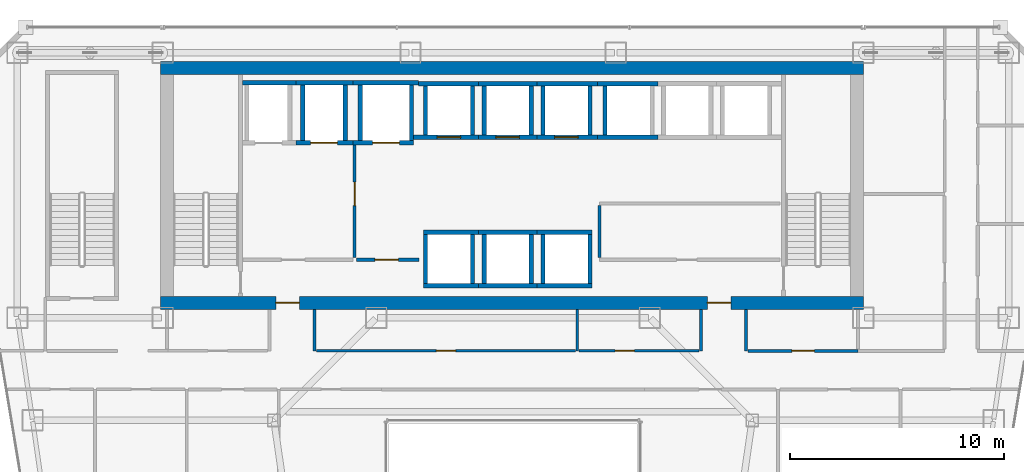
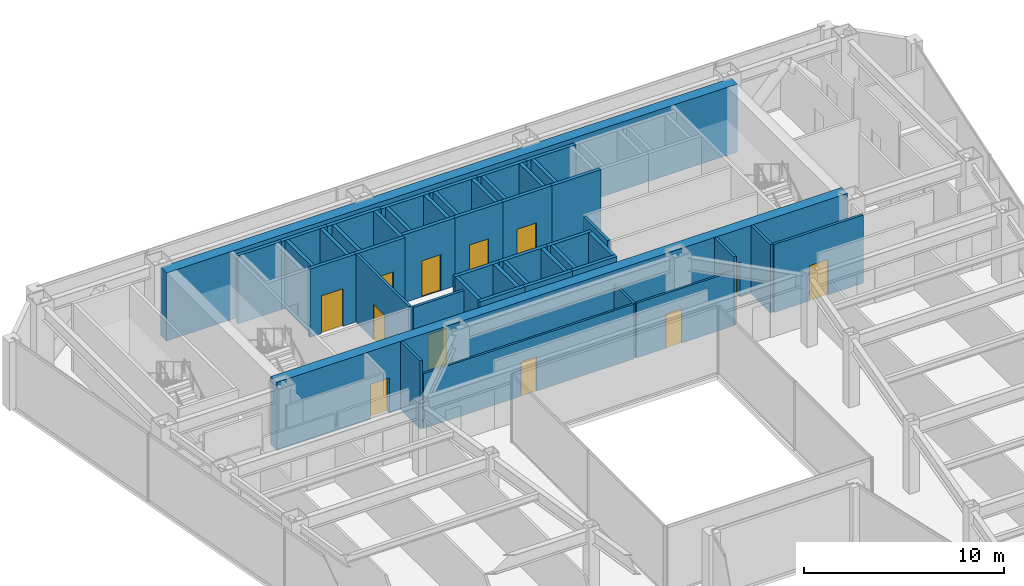
# One storey, part 33 of 37: 48 walls, 12 doors, 12 openings.
"""IFC4 building model written with IfcOpenShell, lengths in metres."""

from ifc_helpers import new_model, si_unit, direction, frame, frame_2d, origin, place, context, subcontext, project, spatial, rectangle, extrude, material, layer, layer_set, type_object, element, fill, save


model = new_model("IFC4")

# Units and contexts
model_context = context("Model", 3, precision=1e-05, world=origin(), true_north=direction((0.0, 1.0)))
body_context = subcontext(model_context, "Body", "Model", "MODEL_VIEW")
ifc_project = project(units=[si_unit("LENGTHUNIT", "METRE"), si_unit("AREAUNIT", "SQUARE_METRE"), si_unit("VOLUMEUNIT", "CUBIC_METRE"), si_unit("PLANEANGLEUNIT", "RADIAN"), si_unit("MASSUNIT", "GRAM", prefix="KILO")], contexts=[model_context])

# Site, building, storey
site_placement = place(None, origin())
site = spatial("IfcSite", under=ifc_project, at=site_placement, CompositionType="ELEMENT")
building_placement = place(site_placement, origin())
building = spatial("IfcBuilding", under=site, at=building_placement, Name="Saevonmaru Cultural Tower", CompositionType="ELEMENT")
storey_placement = place(building_placement, frame((0.0, 0.0, 114.800048828125)))
storey = spatial("IfcBuildingStorey", under=building, at=storey_placement, Name="L24", CompositionType="ELEMENT", Elevation=114.800048828125)

# Wall, openings, doors
ifc_material_1 = material(Name="Concrete C60/75", Category="concrete")
ifc_layer_1 = layer(ifc_material_1, 0.60009765625, Name="Concrete C60/75")
ifc_layer_set_1 = layer_set([ifc_layer_1], Name="Concrete C60/75")
wall_type_1 = type_object("IfcWallType", Name="WL-CORE-600", PredefinedType="SHEAR", material=ifc_layer_set_1)
wall_1_placement = place(storey_placement, frame((13.5, 43.10009765625, 0.0), z_axis=(0.0, 0.0, 1.0), x_axis=(1.0, 0.0, 0.0)))
wall_1 = element("IfcWall", 1, at=wall_1_placement, inside=storey, type_object=wall_type_1, Name="L24 Tower RC core shear wall S", PredefinedType="SHEAR", context=body_context, shape_type="SweptSolid", body=[
    extrude(rectangle(XDim=32.89990234375, YDim=0.60009765625, at=frame_2d((16.449951171875, 0.0))), origin(), (0.0, 0.0, 1.0), 4.14990234375),
])
opening_1_placement = place(wall_1_placement, frame((5.39990234375, 0.0, 0.0)))
opening_1 = element("IfcOpeningElement", 2, at=opening_1_placement, cuts=wall_1, Name="Opening FD-2", PredefinedType="OPENING", context=body_context, shape_type="SweptSolid", body=[
    extrude(rectangle(XDim=1.10009765625, YDim=2.14990234375, at=frame_2d((0.550048828125, 1.074951171875))), frame((0.0, 0.31005859375, 0.0), z_axis=(0.0, -1.0, 0.0), x_axis=(1.0, 0.0, 0.0)), (0.0, 0.0, 1.0), 0.6201171875),
])
opening_2_placement = place(wall_1_placement, frame((25.60009765625, 0.0, 0.0)))
opening_2 = element("IfcOpeningElement", 3, at=opening_2_placement, cuts=wall_1, Name="Opening FD-2", PredefinedType="OPENING", context=body_context, shape_type="SweptSolid", body=[
    extrude(rectangle(XDim=1.10009765625, YDim=2.14990234375, at=frame_2d((0.550048828125, 1.074951171875))), frame((0.0, 0.31005859375, 0.0), z_axis=(0.0, -1.0, 0.0), x_axis=(1.0, 0.0, 0.0)), (0.0, 0.0, 1.0), 0.6201171875),
])
ifc_material_2 = material(Name="Satin Bronze Anodised Aluminium", Category="aluminium")
door_type_1 = type_object("IfcDoorType", Name="DR-FD60-1100", OperationType="SINGLE_SWING_LEFT", PredefinedType="DOOR", material=ifc_material_2)
door_1_placement = place(opening_1_placement, origin())
door_1 = element("IfcDoor", 4, at=door_1_placement, inside=storey, type_object=door_type_1, Name="L24 Core West Lobby Fire Door", OperationType="SINGLE_SWING_LEFT", OverallHeight=2.14990234375, OverallWidth=1.10009765625, PredefinedType="DOOR", context=body_context, shape_type="SweptSolid", body=[
    extrude(rectangle(XDim=1.10009765625, YDim=2.14990234375, at=frame_2d((0.550048828125, 1.074951171875))), frame((0.0, 0.02490234375, 0.0), z_axis=(0.0, -1.0, 0.0), x_axis=(1.0, 0.0, 0.0)), (0.0, 0.0, 1.0), 0.050048828125),
])
fill(opening_1, door_1)
door_2_placement = place(opening_2_placement, origin())
door_2 = element("IfcDoor", 5, at=door_2_placement, inside=storey, type_object=door_type_1, Name="L24 Core East Lobby Fire Door", OperationType="SINGLE_SWING_LEFT", OverallHeight=2.14990234375, OverallWidth=1.10009765625, PredefinedType="DOOR", context=body_context, shape_type="SweptSolid", body=[
    extrude(rectangle(XDim=1.10009765625, YDim=2.14990234375, at=frame_2d((0.550048828125, 1.074951171875))), frame((0.0, 0.02490234375, 0.0), z_axis=(0.0, -1.0, 0.0), x_axis=(1.0, 0.0, 0.0)), (0.0, 0.0, 1.0), 0.050048828125),
])
fill(opening_2, door_2)

# Wall
wall_2_placement = place(storey_placement, frame((13.5, 54.10009765625, 0.0), z_axis=(0.0, 0.0, 1.0), x_axis=(1.0, 0.0, 0.0)))
element("IfcWall", 6, at=wall_2_placement, inside=storey, type_object=wall_type_1, Name="L24 Tower RC core shear wall N", PredefinedType="SHEAR", context=body_context, shape_type="SweptSolid", body=[
    extrude(rectangle(XDim=32.89990234375, YDim=0.60009765625, at=frame_2d((16.449951171875, 0.0))), origin(), (0.0, 0.0, 1.0), 4.14990234375),
])

# Wall, opening, door
ifc_material_3 = material(Name="Gypsum Fireboard Partition", Category="gypsum")
ifc_layer_2 = layer(ifc_material_3, 0.14990234375, Name="Gypsum Fireboard Partition")
ifc_layer_set_2 = layer_set([ifc_layer_2], Name="Gypsum Fireboard Partition")
wall_type_2 = type_object("IfcWallType", Name="WL-CORE-PART-150", PredefinedType="PARTITIONING", material=ifc_layer_set_2)
wall_3_placement = place(storey_placement, frame((22.580078125, 50.550048828125, 0.0), z_axis=(0.0, 0.0, 1.0), x_axis=(0.0, -1.0, 0.0)))
wall_3 = element("IfcWall", 7, at=wall_3_placement, inside=storey, type_object=wall_type_2, Name="L24 Firefighting Lift Lobby East Wall", PredefinedType="PARTITIONING", context=body_context, shape_type="SweptSolid", body=[
    extrude(rectangle(XDim=5.330078125, YDim=0.14990234375, at=frame_2d((2.6650390625, 0.0))), origin(), (0.0, 0.0, 1.0), 4.14990234375),
])
opening_3_placement = place(wall_3_placement, frame((1.800048828125, 0.0, 0.0)))
opening_3 = element("IfcOpeningElement", 8, at=opening_3_placement, cuts=wall_3, Name="Opening FD-2", PredefinedType="OPENING", context=body_context, shape_type="SweptSolid", body=[
    extrude(rectangle(XDim=1.10009765625, YDim=2.14990234375, at=frame_2d((0.550048828125, 1.074951171875))), frame((0.0, 0.0849609375, 0.0), z_axis=(0.0, -1.0, 0.0), x_axis=(1.0, 0.0, 0.0)), (0.0, 0.0, 1.0), 0.169921875),
])
door_3_placement = place(opening_3_placement, origin())
door_3 = element("IfcDoor", 9, at=door_3_placement, inside=storey, type_object=door_type_1, Name="L24 Firefighting Lift Lobby East Door", OperationType="SINGLE_SWING_LEFT", OverallHeight=2.14990234375, OverallWidth=1.10009765625, PredefinedType="DOOR", context=body_context, shape_type="SweptSolid", body=[
    extrude(rectangle(XDim=1.10009765625, YDim=2.14990234375, at=frame_2d((0.550048828125, 1.074951171875))), frame((0.0, 0.02490234375, 0.0), z_axis=(0.0, -1.0, 0.0), x_axis=(1.0, 0.0, 0.0)), (0.0, 0.0, 1.0), 0.050048828125),
])
fill(opening_3, door_3)

wall_4_placement = place(storey_placement, frame((22.679931640625, 45.1201171875, 0.0), z_axis=(0.0, 0.0, 1.0), x_axis=(1.0, 0.0, 0.0)))
wall_4 = element("IfcWall", 10, at=wall_4_placement, inside=storey, type_object=wall_type_2, Name="L24 Service Lift Vestibule Wall", PredefinedType="PARTITIONING", context=body_context, shape_type="SweptSolid", body=[
    extrude(rectangle(XDim=2.920166015625, YDim=0.14990234375, at=frame_2d((1.4599609375, 0.0))), origin(), (0.0, 0.0, 1.0), 4.14990234375),
])
opening_4_placement = place(wall_4_placement, frame((0.85009765625, 0.0, 0.0)))
opening_4 = element("IfcOpeningElement", 11, at=opening_4_placement, cuts=wall_4, Name="Opening FD-2", PredefinedType="OPENING", context=body_context, shape_type="SweptSolid", body=[
    extrude(rectangle(XDim=1.10009765625, YDim=2.14990234375, at=frame_2d((0.550048828125, 1.074951171875))), frame((0.0, 0.0849609375, 0.0), z_axis=(0.0, -1.0, 0.0), x_axis=(1.0, 0.0, 0.0)), (0.0, 0.0, 1.0), 0.169921875),
])
door_4_placement = place(opening_4_placement, origin())
door_4 = element("IfcDoor", 12, at=door_4_placement, inside=storey, type_object=door_type_1, Name="L24 Service Lift Vestibule Door", OperationType="SINGLE_SWING_LEFT", OverallHeight=2.14990234375, OverallWidth=1.10009765625, PredefinedType="DOOR", context=body_context, shape_type="SweptSolid", body=[
    extrude(rectangle(XDim=1.10009765625, YDim=2.14990234375, at=frame_2d((0.550048828125, 1.074951171875))), frame((0.0, 0.02490234375, 0.0), z_axis=(0.0, -1.0, 0.0), x_axis=(1.0, 0.0, 0.0)), (0.0, 0.0, 1.0), 0.050048828125),
])
fill(opening_4, door_4)

# Walls
wall_5_placement = place(storey_placement, frame((34.050048828125, 45.219970703125, 0.0), z_axis=(0.0, 0.0, 1.0), x_axis=(0.0, 1.0, 0.0)))
element("IfcWall", 13, at=wall_5_placement, inside=storey, type_object=wall_type_2, Name="L24 Core Service West Wall", PredefinedType="PARTITIONING", context=body_context, shape_type="SweptSolid", body=[
    extrude(rectangle(XDim=2.429931640625, YDim=0.14990234375, at=frame_2d((1.21484375, 0.0))), origin(), (0.0, 0.0, 1.0), 4.14990234375),
])
ifc_layer_3 = layer(ifc_material_3, 0.14990234375, Name="Gypsum Fireboard Partition")
ifc_layer_set_3 = layer_set([ifc_layer_3], Name="Gypsum Fireboard Partition")
wall_type_3 = type_object("IfcWallType", Name="WL-PART-FIRE-150", PredefinedType="PARTITIONING", material=ifc_layer_set_3)
for number, where, z_axis, x_axis, name in (
    (14, (20.699951171875, 40.85009765625, 0.0), (0.0, 0.0, 1.0), (0.0, 1.0, 0.0), "L24 Core Portal Side Wall W2"),
    (15, (38.800048828125, 40.85009765625, 0.0), (0.0, 0.0, 1.0), (0.0, 1.0, 0.0), "L24 Core Portal Side Wall E1"),
    (16, (40.89990234375, 40.85009765625, 0.0), (0.0, 0.0, 1.0), (0.0, 1.0, 0.0), "L24 Core Portal Side Wall E2"),
):
    element("IfcWall", number, at=place(storey_placement, frame(where, z_axis=z_axis, x_axis=x_axis)), inside=storey, type_object=wall_type_3, Name=name, PredefinedType="PARTITIONING", context=body_context, shape_type="SweptSolid", body=[
        extrude(rectangle(XDim=1.929931640625, YDim=0.14990234375, at=frame_2d((0.96484375, 0.0))), origin(), (0.0, 0.0, 1.0), 4.14990234375),
    ])

# Wall, opening, door
wall_6_placement = place(storey_placement, frame((40.9951171875, 40.85009765625, 0.0), z_axis=(0.0, 0.0, 1.0), x_axis=(1.0, 0.0, 0.0)))
wall_6 = element("IfcWall", 17, at=wall_6_placement, inside=storey, type_object=wall_type_3, Name="L24 Sculpture Study Gallery Corridor Wall", PredefinedType="PARTITIONING", context=body_context, shape_type="SweptSolid", body=[
    extrude(rectangle(XDim=5.15478515625, YDim=0.14990234375, at=frame_2d((2.577392578125, 0.0))), origin(), (0.0, 0.0, 1.0), 4.14990234375),
])
opening_5_placement = place(wall_6_placement, frame((2.052978515625, 0.0, 0.0)))
opening_5 = element("IfcOpeningElement", 18, at=opening_5_placement, cuts=wall_6, Name="Opening ID-1", PredefinedType="OPENING", context=body_context, shape_type="SweptSolid", body=[
    extrude(rectangle(XDim=1.050048828125, YDim=2.14990234375, at=frame_2d((0.52490234375, 1.074951171875))), frame((0.0, 0.0849609375, 0.0), z_axis=(0.0, -1.0, 0.0), x_axis=(1.0, 0.0, 0.0)), (0.0, 0.0, 1.0), 0.169921875),
])
door_type_2 = type_object("IfcDoorType", Name="DR-INT-1050", OperationType="SINGLE_SWING_LEFT", PredefinedType="DOOR", material=ifc_material_2)
door_5_placement = place(opening_5_placement, origin())
door_5 = element("IfcDoor", 19, at=door_5_placement, inside=storey, type_object=door_type_2, Name="L24 Sculpture Study Gallery Door", OperationType="SINGLE_SWING_RIGHT", OverallHeight=2.14990234375, OverallWidth=1.050048828125, PredefinedType="DOOR", context=body_context, shape_type="SweptSolid", body=[
    extrude(rectangle(XDim=1.050048828125, YDim=2.14990234375, at=frame_2d((0.52490234375, 1.074951171875))), frame((0.0, 0.02490234375, 0.0), z_axis=(0.0, -1.0, 0.0), x_axis=(1.0, 0.0, 0.0)), (0.0, 0.0, 1.0), 0.050048828125),
])
fill(opening_5, door_5)

# Wall
ifc_layer_4 = layer(ifc_material_3, 0.1201171875, Name="Gypsum Fireboard Partition")
ifc_layer_set_4 = layer_set([ifc_layer_4], Name="Gypsum Fireboard Partition")
wall_type_4 = type_object("IfcWallType", Name="WL-PART-GYP-120", PredefinedType="PARTITIONING", material=ifc_layer_set_4)
wall_7_placement = place(storey_placement, frame((33.0, 40.85009765625, 0.0), z_axis=(0.0, 0.0, 1.0), x_axis=(0.0, 1.0, 0.0)))
element("IfcWall", 20, at=wall_7_placement, inside=storey, type_object=wall_type_4, Name="L24 Spine Alcove Split", PredefinedType="PARTITIONING", context=body_context, shape_type="SweptSolid", body=[
    extrude(rectangle(XDim=1.929931640625, YDim=0.1201171875, at=frame_2d((0.96484375, 0.0))), origin(), (0.0, 0.0, 1.0), 3.3349609375),
])

# Wall, opening, door
wall_8_placement = place(storey_placement, frame((20.794921875, 40.85009765625, 0.0), z_axis=(0.0, 0.0, 1.0), x_axis=(1.0, 0.0, 0.0)))
wall_8 = element("IfcWall", 21, at=wall_8_placement, inside=storey, type_object=wall_type_4, Name="L24 Visiting Fellows Office Corridor Wall", PredefinedType="PARTITIONING", context=body_context, shape_type="SweptSolid", body=[
    extrude(rectangle(XDim=12.125, YDim=0.1201171875, at=frame_2d((6.0625, 0.0))), origin(), (0.0, 0.0, 1.0), 3.3349609375),
])
opening_6_placement = place(wall_8_placement, frame((5.612060546875, 0.0, 0.0)))
opening_6 = element("IfcOpeningElement", 22, at=opening_6_placement, cuts=wall_8, Name="Opening ID-2", PredefinedType="OPENING", context=body_context, shape_type="SweptSolid", body=[
    extrude(rectangle(XDim=0.89990234375, YDim=2.10009765625, at=frame_2d((0.449951171875, 1.050048828125))), frame((0.0, 0.070068359375, 0.0), z_axis=(0.0, -1.0, 0.0), x_axis=(1.0, 0.0, 0.0)), (0.0, 0.0, 1.0), 0.14013671875),
])
ifc_material_4 = material(Name="Acoustic Stained Oak Timber", Category="wood")
door_type_3 = type_object("IfcDoorType", Name="DR-INT-900", OperationType="SINGLE_SWING_RIGHT", PredefinedType="DOOR", material=ifc_material_4)
door_6_placement = place(opening_6_placement, origin())
door_6 = element("IfcDoor", 23, at=door_6_placement, inside=storey, type_object=door_type_3, Name="L24 Visiting Fellows Office Door", OperationType="SINGLE_SWING_RIGHT", OverallHeight=2.10009765625, OverallWidth=0.89990234375, PredefinedType="DOOR", context=body_context, shape_type="SweptSolid", body=[
    extrude(rectangle(XDim=0.89990234375, YDim=2.10009765625, at=frame_2d((0.449951171875, 1.050048828125))), frame((0.0, 0.02490234375, 0.0), z_axis=(0.0, -1.0, 0.0), x_axis=(1.0, 0.0, 0.0)), (0.0, 0.0, 1.0), 0.050048828125),
])
fill(opening_6, door_6)

wall_9_placement = place(storey_placement, frame((33.080078125, 40.85009765625, 0.0), z_axis=(0.0, 0.0, 1.0), x_axis=(1.0, 0.0, 0.0)))
wall_9 = element("IfcWall", 24, at=wall_9_placement, inside=storey, type_object=wall_type_4, Name="L24 Digital Media Classroom Corridor Wall", PredefinedType="PARTITIONING", context=body_context, shape_type="SweptSolid", body=[
    extrude(rectangle(XDim=5.625, YDim=0.1201171875, at=frame_2d((2.8125, 0.0))), origin(), (0.0, 0.0, 1.0), 3.3349609375),
])
opening_7_placement = place(wall_9_placement, frame((1.701904296875, 0.0, 0.0)))
opening_7 = element("IfcOpeningElement", 25, at=opening_7_placement, cuts=wall_9, Name="Opening ID-2", PredefinedType="OPENING", context=body_context, shape_type="SweptSolid", body=[
    extrude(rectangle(XDim=0.89990234375, YDim=2.10009765625, at=frame_2d((0.449951171875, 1.050048828125))), frame((0.0, 0.070068359375, 0.0), z_axis=(0.0, -1.0, 0.0), x_axis=(1.0, 0.0, 0.0)), (0.0, 0.0, 1.0), 0.14013671875),
])
door_7_placement = place(opening_7_placement, origin())
door_7 = element("IfcDoor", 26, at=door_7_placement, inside=storey, type_object=door_type_3, Name="L24 Digital Media Classroom Door", OperationType="SINGLE_SWING_LEFT", OverallHeight=2.10009765625, OverallWidth=0.89990234375, PredefinedType="DOOR", context=body_context, shape_type="SweptSolid", body=[
    extrude(rectangle(XDim=0.89990234375, YDim=2.10009765625, at=frame_2d((0.449951171875, 1.050048828125))), frame((0.0, 0.02490234375, 0.0), z_axis=(0.0, -1.0, 0.0), x_axis=(1.0, 0.0, 0.0)), (0.0, 0.0, 1.0), 0.050048828125),
])
fill(opening_7, door_7)

# Wall
ifc_material_5 = material(Name="Concrete C40/50", Category="concrete")
ifc_layer_5 = layer(ifc_material_5, 0.199951171875, Name="Concrete C40/50")
ifc_layer_set_5 = layer_set([ifc_layer_5], Name="Concrete C40/50")
wall_type_5 = type_object("IfcWallType", Name="WL-SHAFT-200", PredefinedType="SHEAR", material=ifc_layer_set_5)
wall_10_placement = place(storey_placement, frame((17.330078125, 53.39990234375, 0.0), z_axis=(0.0, 0.0, 1.0), x_axis=(1.0, 0.0, 0.0)))
element("IfcWall", 27, at=wall_10_placement, inside=storey, type_object=wall_type_5, Name="L24 Lift FFL-1 Hoistway Wall N", PredefinedType="SHEAR", context=body_context, shape_type="SweptSolid", body=[
    extrude(rectangle(XDim=2.52001953125, YDim=0.199951171875, at=frame_2d((1.260009765625, 0.0))), origin(), (0.0, 0.0, 1.0), 4.14990234375),
])

# Wall, opening, door
wall_11_placement = place(storey_placement, frame((19.85009765625, 50.60009765625, 0.0), z_axis=(0.0, 0.0, 1.0), x_axis=(1.0, 0.0, 0.0)))
wall_11 = element("IfcWall", 28, at=wall_11_placement, inside=storey, type_object=wall_type_5, Name="L24 Lift FFL-2 Hoistway Wall S", PredefinedType="SHEAR", context=body_context, shape_type="SweptSolid", body=[
    extrude(rectangle(XDim=2.64990234375, YDim=0.199951171875, at=frame_2d((1.324951171875, 0.0))), origin(), (0.0, 0.0, 1.0), 4.14990234375),
])
opening_8_placement = place(wall_11_placement, frame((0.675048828125, 0.0, 0.0)))
opening_8 = element("IfcOpeningElement", 29, at=opening_8_placement, cuts=wall_11, Name="Opening LD-2", PredefinedType="OPENING", context=body_context, shape_type="SweptSolid", body=[
    extrude(rectangle(XDim=1.25, YDim=2.300048828125, at=frame_2d((0.625, 1.14990234375))), frame((0.0, 0.10986328125, 0.0), z_axis=(0.0, -1.0, 0.0), x_axis=(1.0, 0.0, 0.0)), (0.0, 0.0, 1.0), 0.219970703125),
])
ifc_material_6 = material(Name="Stainless Steel 316", Category="steel")
door_type_4 = type_object("IfcDoorType", Name="DR-LIFT-1250", OperationType="SLIDING_TO_LEFT", PredefinedType="DOOR", material=ifc_material_6)
door_8_placement = place(opening_8_placement, origin())
door_8 = element("IfcDoor", 30, at=door_8_placement, inside=storey, type_object=door_type_4, Name="L24 Lift FFL-2 Sliding Landing Door", OperationType="SLIDING_TO_LEFT", OverallHeight=2.300048828125, OverallWidth=1.25, PredefinedType="DOOR", context=body_context, shape_type="SweptSolid", body=[
    extrude(rectangle(XDim=1.25, YDim=2.300048828125, at=frame_2d((0.625, 1.14990234375))), frame((0.0, 0.02490234375, 0.0), z_axis=(0.0, -1.0, 0.0), x_axis=(1.0, 0.0, 0.0)), (0.0, 0.0, 1.0), 0.050048828125),
])
fill(opening_8, door_8)

# Walls
wall_12_placement = place(storey_placement, frame((19.85009765625, 53.39990234375, 0.0), z_axis=(0.0, 0.0, 1.0), x_axis=(1.0, 0.0, 0.0)))
element("IfcWall", 31, at=wall_12_placement, inside=storey, type_object=wall_type_5, Name="L24 Lift FFL-2 Hoistway Wall N", PredefinedType="SHEAR", context=body_context, shape_type="SweptSolid", body=[
    extrude(rectangle(XDim=2.64990234375, YDim=0.199951171875, at=frame_2d((1.324951171875, 0.0))), origin(), (0.0, 0.0, 1.0), 4.14990234375),
])
for number, where, z_axis, x_axis, name in (
    (32, (20.14990234375, 50.699951171875, 0.0), (0.0, 0.0, 1.0), (0.0, 1.0, 0.0), "L24 Lift FFL-2 Hoistway Wall W"),
    (33, (22.14990234375, 50.699951171875, 0.0), (0.0, 0.0, 1.0), (0.0, 1.0, 0.0), "L24 Lift FFL-2 Hoistway Wall E"),
):
    element("IfcWall", number, at=place(storey_placement, frame(where, z_axis=z_axis, x_axis=x_axis)), inside=storey, type_object=wall_type_5, Name=name, PredefinedType="SHEAR", context=body_context, shape_type="SweptSolid", body=[
        extrude(rectangle(XDim=2.60009765625, YDim=0.199951171875, at=frame_2d((1.300048828125, 0.0))), origin(), (0.0, 0.0, 1.0), 4.14990234375),
    ])

# Wall, opening, door
wall_13_placement = place(storey_placement, frame((22.5, 50.60009765625, 0.0), z_axis=(0.0, 0.0, 1.0), x_axis=(1.0, 0.0, 0.0)))
wall_13 = element("IfcWall", 34, at=wall_13_placement, inside=storey, type_object=wall_type_5, Name="L24 Lift GL-1 Hoistway Wall S", PredefinedType="SHEAR", context=body_context, shape_type="SweptSolid", body=[
    extrude(rectangle(XDim=2.85009765625, YDim=0.199951171875, at=frame_2d((1.425048828125, 0.0))), origin(), (0.0, 0.0, 1.0), 4.14990234375),
])
opening_9_placement = place(wall_13_placement, frame((0.925048828125, 0.0, 0.0)))
opening_9 = element("IfcOpeningElement", 35, at=opening_9_placement, cuts=wall_13, Name="Opening LD-2", PredefinedType="OPENING", context=body_context, shape_type="SweptSolid", body=[
    extrude(rectangle(XDim=1.25, YDim=2.300048828125, at=frame_2d((0.625, 1.14990234375))), frame((0.0, 0.10986328125, 0.0), z_axis=(0.0, -1.0, 0.0), x_axis=(1.0, 0.0, 0.0)), (0.0, 0.0, 1.0), 0.219970703125),
])
door_9_placement = place(opening_9_placement, origin())
door_9 = element("IfcDoor", 36, at=door_9_placement, inside=storey, type_object=door_type_4, Name="L24 Lift GL-1 Sliding Landing Door", OperationType="SLIDING_TO_LEFT", OverallHeight=2.300048828125, OverallWidth=1.25, PredefinedType="DOOR", context=body_context, shape_type="SweptSolid", body=[
    extrude(rectangle(XDim=1.25, YDim=2.300048828125, at=frame_2d((0.625, 1.14990234375))), frame((0.0, 0.02490234375, 0.0), z_axis=(0.0, -1.0, 0.0), x_axis=(1.0, 0.0, 0.0)), (0.0, 0.0, 1.0), 0.050048828125),
])
fill(opening_9, door_9)

# Walls
wall_14_placement = place(storey_placement, frame((22.5, 53.39990234375, 0.0), z_axis=(0.0, 0.0, 1.0), x_axis=(1.0, 0.0, 0.0)))
element("IfcWall", 37, at=wall_14_placement, inside=storey, type_object=wall_type_5, Name="L24 Lift GL-1 Hoistway Wall N", PredefinedType="SHEAR", context=body_context, shape_type="SweptSolid", body=[
    extrude(rectangle(XDim=3.074951171875, YDim=0.199951171875, at=frame_2d((1.53759765625, 0.0))), origin(), (0.0, 0.0, 1.0), 4.14990234375),
])
for number, where, z_axis, x_axis, name in (
    (38, (22.85009765625, 50.699951171875, 0.0), (0.0, 0.0, 1.0), (0.0, 1.0, 0.0), "L24 Lift GL-1 Hoistway Wall W"),
    (39, (25.25, 50.699951171875, 0.0), (0.0, 0.0, 1.0), (0.0, 1.0, 0.0), "L24 Lift GL-1 Hoistway Wall E"),
):
    element("IfcWall", number, at=place(storey_placement, frame(where, z_axis=z_axis, x_axis=x_axis)), inside=storey, type_object=wall_type_5, Name=name, PredefinedType="SHEAR", context=body_context, shape_type="SweptSolid", body=[
        extrude(rectangle(XDim=2.60009765625, YDim=0.199951171875, at=frame_2d((1.300048828125, 0.0))), origin(), (0.0, 0.0, 1.0), 4.14990234375),
    ])

# Wall, opening, door
wall_15_placement = place(storey_placement, frame((25.35009765625, 50.85009765625, 0.0), z_axis=(0.0, 0.0, 1.0), x_axis=(1.0, 0.0, 0.0)))
wall_15 = element("IfcWall", 40, at=wall_15_placement, inside=storey, type_object=wall_type_5, Name="L24 Lift PL-L1 Hoistway Wall S", PredefinedType="SHEAR", context=body_context, shape_type="SweptSolid", body=[
    extrude(rectangle(XDim=3.02490234375, YDim=0.199951171875, at=frame_2d((1.512451171875, 0.0))), origin(), (0.0, 0.0, 1.0), 4.14990234375),
])
opening_10_placement = place(wall_15_placement, frame((1.10009765625, 0.0, 0.0)))
opening_10 = element("IfcOpeningElement", 41, at=opening_10_placement, cuts=wall_15, Name="Opening LD-1", PredefinedType="OPENING", context=body_context, shape_type="SweptSolid", body=[
    extrude(rectangle(XDim=1.10009765625, YDim=2.199951171875, at=frame_2d((0.550048828125, 1.10009765625))), frame((0.0, 0.10986328125, 0.0), z_axis=(0.0, -1.0, 0.0), x_axis=(1.0, 0.0, 0.0)), (0.0, 0.0, 1.0), 0.219970703125),
])
ifc_material_7 = material(Name="Satin Bronze Stainless Steel", Category="steel")
door_type_5 = type_object("IfcDoorType", Name="DR-LIFT-1100", OperationType="SLIDING_TO_LEFT", PredefinedType="DOOR", material=ifc_material_7)
door_10_placement = place(opening_10_placement, origin())
door_10 = element("IfcDoor", 42, at=door_10_placement, inside=storey, type_object=door_type_5, Name="L24 Lift PL-L1 Sliding Landing Door", OperationType="SLIDING_TO_LEFT", OverallHeight=2.199951171875, OverallWidth=1.10009765625, PredefinedType="DOOR", context=body_context, shape_type="SweptSolid", body=[
    extrude(rectangle(XDim=1.10009765625, YDim=2.199951171875, at=frame_2d((0.550048828125, 1.10009765625))), frame((0.0, 0.02490234375, 0.0), z_axis=(0.0, -1.0, 0.0), x_axis=(1.0, 0.0, 0.0)), (0.0, 0.0, 1.0), 0.050048828125),
])
fill(opening_10, door_10)

# Walls
wall_16_placement = place(storey_placement, frame((25.574951171875, 53.35009765625, 0.0), z_axis=(0.0, 0.0, 1.0), x_axis=(1.0, 0.0, 0.0)))
element("IfcWall", 43, at=wall_16_placement, inside=storey, type_object=wall_type_5, Name="L24 Lift PL-L1 Hoistway Wall N", PredefinedType="SHEAR", context=body_context, shape_type="SweptSolid", body=[
    extrude(rectangle(XDim=2.800048828125, YDim=0.199951171875, at=frame_2d((1.39990234375, 0.0))), origin(), (0.0, 0.0, 1.0), 4.14990234375),
])
for number, where, z_axis, x_axis, name in (
    (44, (25.89990234375, 50.949951171875, 0.0), (0.0, 0.0, 1.0), (0.0, 1.0, 0.0), "L24 Lift PL-L1 Hoistway Wall W"),
    (45, (28.10009765625, 50.949951171875, 0.0), (0.0, 0.0, 1.0), (0.0, 1.0, 0.0), "L24 Lift PL-L1 Hoistway Wall E"),
):
    element("IfcWall", number, at=place(storey_placement, frame(where, z_axis=z_axis, x_axis=x_axis)), inside=storey, type_object=wall_type_5, Name=name, PredefinedType="SHEAR", context=body_context, shape_type="SweptSolid", body=[
        extrude(rectangle(XDim=2.300048828125, YDim=0.199951171875, at=frame_2d((1.14990234375, 0.0))), origin(), (0.0, 0.0, 1.0), 4.14990234375),
    ])

# Wall, opening, door
wall_17_placement = place(storey_placement, frame((28.375, 50.85009765625, 0.0), z_axis=(0.0, 0.0, 1.0), x_axis=(1.0, 0.0, 0.0)))
wall_17 = element("IfcWall", 46, at=wall_17_placement, inside=storey, type_object=wall_type_5, Name="L24 Lift PL-L2 Hoistway Wall S", PredefinedType="SHEAR", context=body_context, shape_type="SweptSolid", body=[
    extrude(rectangle(XDim=2.75, YDim=0.199951171875, at=frame_2d((1.375, 0.0))), origin(), (0.0, 0.0, 1.0), 4.14990234375),
])
opening_11_placement = place(wall_17_placement, frame((0.824951171875, 0.0, 0.0)))
opening_11 = element("IfcOpeningElement", 47, at=opening_11_placement, cuts=wall_17, Name="Opening LD-1", PredefinedType="OPENING", context=body_context, shape_type="SweptSolid", body=[
    extrude(rectangle(XDim=1.10009765625, YDim=2.199951171875, at=frame_2d((0.550048828125, 1.10009765625))), frame((0.0, 0.10986328125, 0.0), z_axis=(0.0, -1.0, 0.0), x_axis=(1.0, 0.0, 0.0)), (0.0, 0.0, 1.0), 0.219970703125),
])
door_11_placement = place(opening_11_placement, origin())
door_11 = element("IfcDoor", 48, at=door_11_placement, inside=storey, type_object=door_type_5, Name="L24 Lift PL-L2 Sliding Landing Door", OperationType="SLIDING_TO_LEFT", OverallHeight=2.199951171875, OverallWidth=1.10009765625, PredefinedType="DOOR", context=body_context, shape_type="SweptSolid", body=[
    extrude(rectangle(XDim=1.10009765625, YDim=2.199951171875, at=frame_2d((0.550048828125, 1.10009765625))), frame((0.0, 0.02490234375, 0.0), z_axis=(0.0, -1.0, 0.0), x_axis=(1.0, 0.0, 0.0)), (0.0, 0.0, 1.0), 0.050048828125),
])
fill(opening_11, door_11)

# Walls
wall_18_placement = place(storey_placement, frame((28.375, 53.35009765625, 0.0), z_axis=(0.0, 0.0, 1.0), x_axis=(1.0, 0.0, 0.0)))
element("IfcWall", 49, at=wall_18_placement, inside=storey, type_object=wall_type_5, Name="L24 Lift PL-L2 Hoistway Wall N", PredefinedType="SHEAR", context=body_context, shape_type="SweptSolid", body=[
    extrude(rectangle(XDim=2.75, YDim=0.199951171875, at=frame_2d((1.375, 0.0))), origin(), (0.0, 0.0, 1.0), 4.14990234375),
])
for number, where, z_axis, x_axis, name in (
    (50, (28.64990234375, 50.949951171875, 0.0), (0.0, 0.0, 1.0), (0.0, 1.0, 0.0), "L24 Lift PL-L2 Hoistway Wall W"),
    (51, (30.85009765625, 50.949951171875, 0.0), (0.0, 0.0, 1.0), (0.0, 1.0, 0.0), "L24 Lift PL-L2 Hoistway Wall E"),
):
    element("IfcWall", number, at=place(storey_placement, frame(where, z_axis=z_axis, x_axis=x_axis)), inside=storey, type_object=wall_type_5, Name=name, PredefinedType="SHEAR", context=body_context, shape_type="SweptSolid", body=[
        extrude(rectangle(XDim=2.300048828125, YDim=0.199951171875, at=frame_2d((1.14990234375, 0.0))), origin(), (0.0, 0.0, 1.0), 4.14990234375),
    ])

# Wall, opening, door
wall_19_placement = place(storey_placement, frame((31.125, 50.85009765625, 0.0), z_axis=(0.0, 0.0, 1.0), x_axis=(1.0, 0.0, 0.0)))
wall_19 = element("IfcWall", 52, at=wall_19_placement, inside=storey, type_object=wall_type_5, Name="L24 Lift PL-L3 Hoistway Wall S", PredefinedType="SHEAR", context=body_context, shape_type="SweptSolid", body=[
    extrude(rectangle(XDim=2.824951171875, YDim=0.199951171875, at=frame_2d((1.41259765625, 0.0))), origin(), (0.0, 0.0, 1.0), 4.14990234375),
])
opening_12_placement = place(wall_19_placement, frame((0.824951171875, 0.0, 0.0)))
opening_12 = element("IfcOpeningElement", 53, at=opening_12_placement, cuts=wall_19, Name="Opening LD-1", PredefinedType="OPENING", context=body_context, shape_type="SweptSolid", body=[
    extrude(rectangle(XDim=1.10009765625, YDim=2.199951171875, at=frame_2d((0.550048828125, 1.10009765625))), frame((0.0, 0.10986328125, 0.0), z_axis=(0.0, -1.0, 0.0), x_axis=(1.0, 0.0, 0.0)), (0.0, 0.0, 1.0), 0.219970703125),
])
door_12_placement = place(opening_12_placement, origin())
door_12 = element("IfcDoor", 54, at=door_12_placement, inside=storey, type_object=door_type_5, Name="L24 Lift PL-L3 Sliding Landing Door", OperationType="SLIDING_TO_LEFT", OverallHeight=2.199951171875, OverallWidth=1.10009765625, PredefinedType="DOOR", context=body_context, shape_type="SweptSolid", body=[
    extrude(rectangle(XDim=1.10009765625, YDim=2.199951171875, at=frame_2d((0.550048828125, 1.10009765625))), frame((0.0, 0.02490234375, 0.0), z_axis=(0.0, -1.0, 0.0), x_axis=(1.0, 0.0, 0.0)), (0.0, 0.0, 1.0), 0.050048828125),
])
fill(opening_12, door_12)

# Walls
wall_20_placement = place(storey_placement, frame((31.125, 53.35009765625, 0.0), z_axis=(0.0, 0.0, 1.0), x_axis=(1.0, 0.0, 0.0)))
element("IfcWall", 55, at=wall_20_placement, inside=storey, type_object=wall_type_5, Name="L24 Lift PL-L3 Hoistway Wall N", PredefinedType="SHEAR", context=body_context, shape_type="SweptSolid", body=[
    extrude(rectangle(XDim=2.824951171875, YDim=0.199951171875, at=frame_2d((1.41259765625, 0.0))), origin(), (0.0, 0.0, 1.0), 4.14990234375),
])
for number, where, z_axis, x_axis, name in (
    (56, (31.39990234375, 50.949951171875, 0.0), (0.0, 0.0, 1.0), (0.0, 1.0, 0.0), "L24 Lift PL-L3 Hoistway Wall W"),
    (57, (33.60009765625, 50.949951171875, 0.0), (0.0, 0.0, 1.0), (0.0, 1.0, 0.0), "L24 Lift PL-L3 Hoistway Wall E"),
):
    element("IfcWall", number, at=place(storey_placement, frame(where, z_axis=z_axis, x_axis=x_axis)), inside=storey, type_object=wall_type_5, Name=name, PredefinedType="SHEAR", context=body_context, shape_type="SweptSolid", body=[
        extrude(rectangle(XDim=2.300048828125, YDim=0.199951171875, at=frame_2d((1.14990234375, 0.0))), origin(), (0.0, 0.0, 1.0), 4.14990234375),
    ])
for number, where, z_axis, x_axis, name in (
    (58, (25.800048828125, 43.89990234375, 0.0), (0.0, 0.0, 1.0), (1.0, 0.0, 0.0), "L24 Lift PL-M1 Hoistway Wall S"),
    (59, (25.800048828125, 46.39990234375, 0.0), (0.0, 0.0, 1.0), (1.0, 0.0, 0.0), "L24 Lift PL-M1 Hoistway Wall N"),
):
    element("IfcWall", number, at=place(storey_placement, frame(where, z_axis=z_axis, x_axis=x_axis)), inside=storey, type_object=wall_type_5, Name=name, PredefinedType="SHEAR", context=body_context, shape_type="SweptSolid", body=[
        extrude(rectangle(XDim=2.574951171875, YDim=0.199951171875, at=frame_2d((1.28759765625, 0.0))), origin(), (0.0, 0.0, 1.0), 4.14990234375),
    ])
for number, where, z_axis, x_axis, name in (
    (60, (25.89990234375, 44.0, 0.0), (0.0, 0.0, 1.0), (0.0, 1.0, 0.0), "L24 Lift PL-M1 Hoistway Wall W"),
    (61, (28.10009765625, 44.0, 0.0), (0.0, 0.0, 1.0), (0.0, 1.0, 0.0), "L24 Lift PL-M1 Hoistway Wall E"),
):
    element("IfcWall", number, at=place(storey_placement, frame(where, z_axis=z_axis, x_axis=x_axis)), inside=storey, type_object=wall_type_5, Name=name, PredefinedType="SHEAR", context=body_context, shape_type="SweptSolid", body=[
        extrude(rectangle(XDim=2.300048828125, YDim=0.199951171875, at=frame_2d((1.14990234375, 0.0))), origin(), (0.0, 0.0, 1.0), 4.14990234375),
    ])
for number, where, z_axis, x_axis, name in (
    (62, (28.375, 43.89990234375, 0.0), (0.0, 0.0, 1.0), (1.0, 0.0, 0.0), "L24 Lift PL-M2 Hoistway Wall S"),
    (63, (28.375, 46.39990234375, 0.0), (0.0, 0.0, 1.0), (1.0, 0.0, 0.0), "L24 Lift PL-M2 Hoistway Wall N"),
):
    element("IfcWall", number, at=place(storey_placement, frame(where, z_axis=z_axis, x_axis=x_axis)), inside=storey, type_object=wall_type_5, Name=name, PredefinedType="SHEAR", context=body_context, shape_type="SweptSolid", body=[
        extrude(rectangle(XDim=2.75, YDim=0.199951171875, at=frame_2d((1.375, 0.0))), origin(), (0.0, 0.0, 1.0), 4.14990234375),
    ])
for number, where, z_axis, x_axis, name in (
    (64, (28.64990234375, 44.0, 0.0), (0.0, 0.0, 1.0), (0.0, 1.0, 0.0), "L24 Lift PL-M2 Hoistway Wall W"),
    (65, (30.85009765625, 44.0, 0.0), (0.0, 0.0, 1.0), (0.0, 1.0, 0.0), "L24 Lift PL-M2 Hoistway Wall E"),
):
    element("IfcWall", number, at=place(storey_placement, frame(where, z_axis=z_axis, x_axis=x_axis)), inside=storey, type_object=wall_type_5, Name=name, PredefinedType="SHEAR", context=body_context, shape_type="SweptSolid", body=[
        extrude(rectangle(XDim=2.300048828125, YDim=0.199951171875, at=frame_2d((1.14990234375, 0.0))), origin(), (0.0, 0.0, 1.0), 4.14990234375),
    ])
for number, where, z_axis, x_axis, name in (
    (66, (31.125, 43.89990234375, 0.0), (0.0, 0.0, 1.0), (1.0, 0.0, 0.0), "L24 Lift PL-M3 Hoistway Wall S"),
    (67, (31.125, 46.39990234375, 0.0), (0.0, 0.0, 1.0), (1.0, 0.0, 0.0), "L24 Lift PL-M3 Hoistway Wall N"),
):
    element("IfcWall", number, at=place(storey_placement, frame(where, z_axis=z_axis, x_axis=x_axis)), inside=storey, type_object=wall_type_5, Name=name, PredefinedType="SHEAR", context=body_context, shape_type="SweptSolid", body=[
        extrude(rectangle(XDim=2.574951171875, YDim=0.199951171875, at=frame_2d((1.28759765625, 0.0))), origin(), (0.0, 0.0, 1.0), 4.14990234375),
    ])
for number, where, z_axis, x_axis, name in (
    (68, (31.39990234375, 44.0, 0.0), (0.0, 0.0, 1.0), (0.0, 1.0, 0.0), "L24 Lift PL-M3 Hoistway Wall W"),
    (69, (33.60009765625, 44.0, 0.0), (0.0, 0.0, 1.0), (0.0, 1.0, 0.0), "L24 Lift PL-M3 Hoistway Wall E"),
):
    element("IfcWall", number, at=place(storey_placement, frame(where, z_axis=z_axis, x_axis=x_axis)), inside=storey, type_object=wall_type_5, Name=name, PredefinedType="SHEAR", context=body_context, shape_type="SweptSolid", body=[
        extrude(rectangle(XDim=2.300048828125, YDim=0.199951171875, at=frame_2d((1.14990234375, 0.0))), origin(), (0.0, 0.0, 1.0), 4.14990234375),
    ])
for number, where, z_axis, x_axis, name in (
    (70, (33.949951171875, 50.85009765625, 0.0), (0.0, 0.0, 1.0), (1.0, 0.0, 0.0), "L24 Lift PL-H1 Hoistway Wall S"),
    (71, (33.949951171875, 53.35009765625, 0.0), (0.0, 0.0, 1.0), (1.0, 0.0, 0.0), "L24 Lift PL-H1 Hoistway Wall N"),
):
    element("IfcWall", number, at=place(storey_placement, frame(where, z_axis=z_axis, x_axis=x_axis)), inside=storey, type_object=wall_type_5, Name=name, PredefinedType="SHEAR", context=body_context, shape_type="SweptSolid", body=[
        extrude(rectangle(XDim=2.824951171875, YDim=0.199951171875, at=frame_2d((1.41259765625, 0.0))), origin(), (0.0, 0.0, 1.0), 4.14990234375),
    ])
wall_21_placement = place(storey_placement, frame((34.300048828125, 50.949951171875, 0.0), z_axis=(0.0, 0.0, 1.0), x_axis=(0.0, 1.0, 0.0)))
element("IfcWall", 72, at=wall_21_placement, inside=storey, type_object=wall_type_5, Name="L24 Lift PL-H1 Hoistway Wall W", PredefinedType="SHEAR", context=body_context, shape_type="SweptSolid", body=[
    extrude(rectangle(XDim=2.300048828125, YDim=0.199951171875, at=frame_2d((1.14990234375, 0.0))), origin(), (0.0, 0.0, 1.0), 4.14990234375),
])

save(model, "model.ifc")
